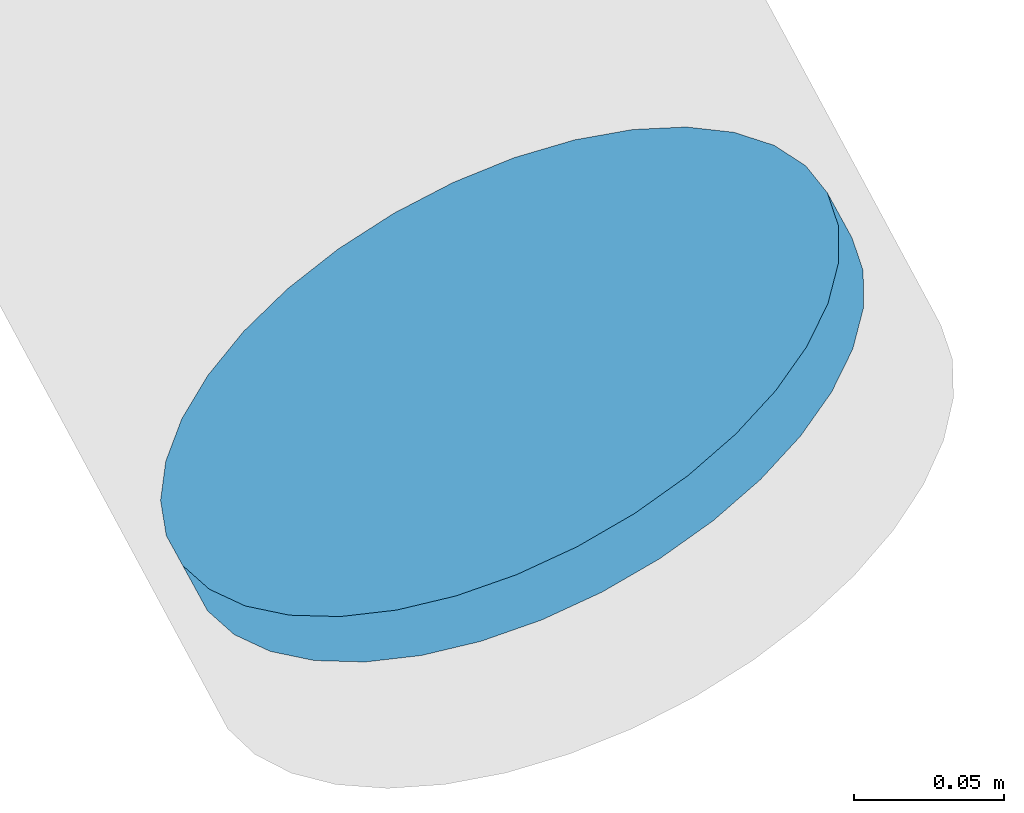
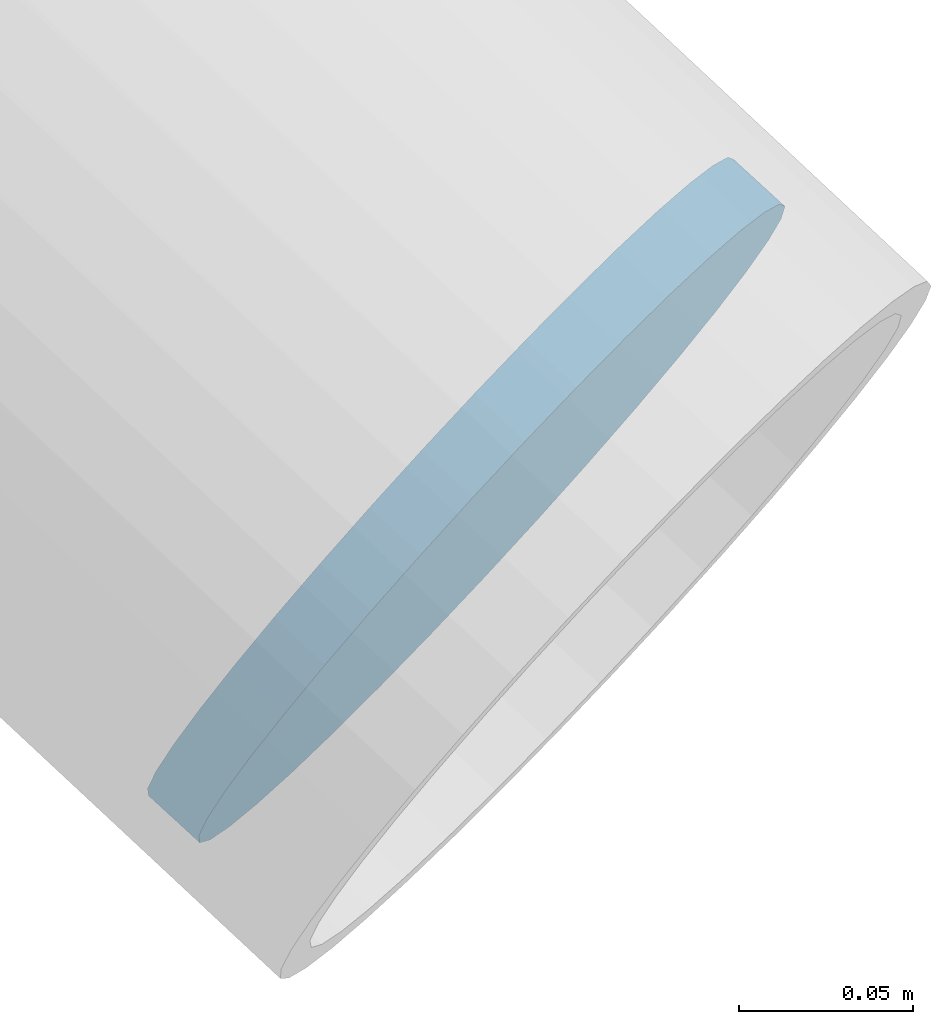
# One storey, part 31 of 38: 1 discrete accessory.
"""IFC4 building model written with IfcOpenShell, lengths in metres."""

from ifc_helpers import new_model, si_unit, direction, frame, origin, origin_2d, place, context, subcontext, project, spatial, circle, extrude, material, material_profile, profile_set, type_object, element, save


model = new_model("IFC4")

# Units and contexts
model_context = context("Model", 3, precision=1e-05, world=origin(), true_north=direction((0.0, 1.0)))
body_context = subcontext(model_context, "Body", "Model", "MODEL_VIEW")
ifc_project = project(units=[si_unit("LENGTHUNIT", "METRE"), si_unit("AREAUNIT", "SQUARE_METRE"), si_unit("VOLUMEUNIT", "CUBIC_METRE"), si_unit("PLANEANGLEUNIT", "RADIAN"), si_unit("MASSUNIT", "GRAM", prefix="KILO")], contexts=[model_context])

# Site, building, storey
site_placement = place(None, origin())
site = spatial("IfcSite", under=ifc_project, at=site_placement, CompositionType="ELEMENT")
building_placement = place(site_placement, origin())
building = spatial("IfcBuilding", under=site, at=building_placement, Name="Rimbun Link Towers", CompositionType="ELEMENT")
storey_placement = place(building_placement, frame((0.0, 0.0, 185.5)))
storey = spatial("IfcBuildingStorey", under=building, at=storey_placement, Name="L45", CompositionType="ELEMENT", Elevation=185.5)

# Discrete accessory
ifc_material = material(Name="Steel S355J2H", Category="steel")
ifc_material_profile = material_profile(ifc_material, circle(Radius=0.1240234375, at=origin_2d()), Name="PL D248")
ifc_profile_set = profile_set([ifc_material_profile], Name="Steel S355J2H")
discrete_accessory_type = type_object("IfcDiscreteAccessoryType", Name="Link foot sealing plate D248X20", PredefinedType="BRACKET", material=ifc_profile_set)
discrete_accessory_placement = place(storey_placement, frame((46.313720703125, -15.48828125, -2.037109375), z_axis=(0.413406325623, -0.753858593783, -0.51067840224), x_axis=(0.876812408671, 0.480832611207, 0.0)))
element("IfcDiscreteAccessory", 1, at=discrete_accessory_placement, inside=storey, type_object=discrete_accessory_type, Name="Link foot sealing plate T2 L45 18", PredefinedType="BRACKET", context=body_context, shape_type="SweptSolid", body=[
    extrude(circle(Radius=0.1240234375, at=origin_2d()), origin(), (0.0, 0.0, 1.0), 0.02001953125),
])

save(model, "model.ifc")
